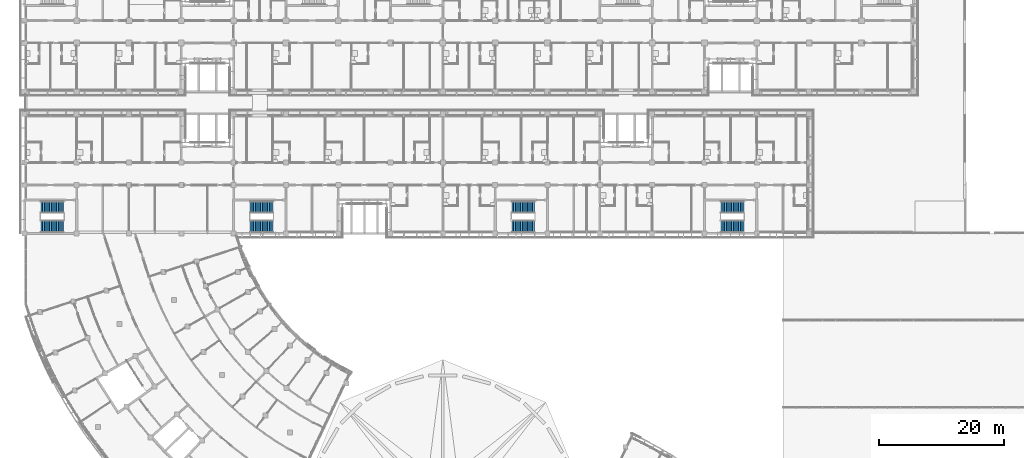
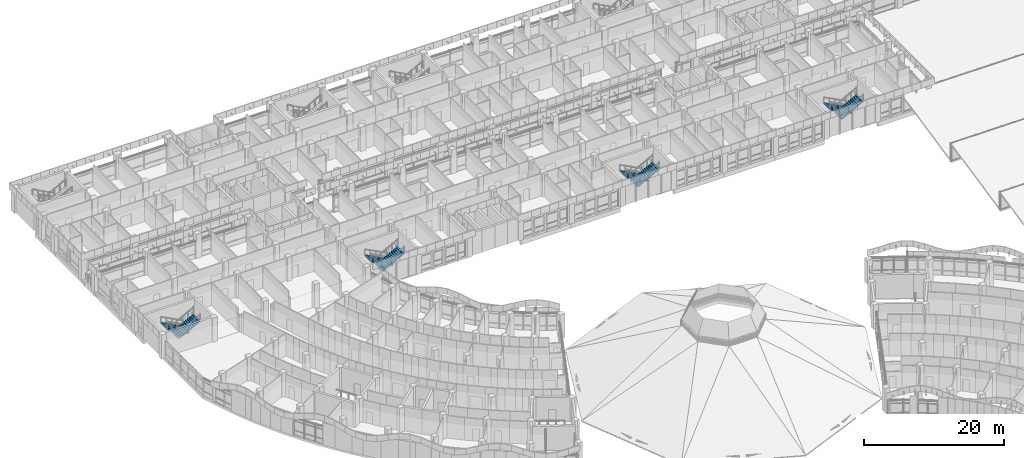
# One storey, part 89 of 137: 8 stair flights, 4 elements without a shape of their own.
"""IFC4 building model written with IfcOpenShell, lengths in metres."""

from ifc_helpers import new_model, si_unit, direction, frame, origin, place, context, subcontext, project, spatial, polyline, outline, extrude, material, type_object, element, aggregate, save


model = new_model("IFC4")

# Units and contexts
model_context = context("Model", 3, precision=1e-05, world=origin(), true_north=direction((0.0, 1.0)))
body_context = subcontext(model_context, "Body", "Model", "MODEL_VIEW")
ifc_project = project(units=[si_unit("LENGTHUNIT", "METRE"), si_unit("AREAUNIT", "SQUARE_METRE"), si_unit("VOLUMEUNIT", "CUBIC_METRE"), si_unit("PLANEANGLEUNIT", "RADIAN"), si_unit("MASSUNIT", "GRAM", prefix="KILO")], contexts=[model_context])

# Site, building, storey
site_placement = place(None, origin())
site = spatial("IfcSite", under=ifc_project, at=site_placement, CompositionType="ELEMENT")
building_placement = place(site_placement, origin())
building = spatial("IfcBuilding", under=site, at=building_placement, Name="Bougainvillea Quay General Hospital", CompositionType="ELEMENT")
storey_placement = place(building_placement, frame((0.0, 0.0, 16.800048828125)))
storey = spatial("IfcBuildingStorey", under=building, at=storey_placement, Name="L03", CompositionType="ELEMENT", Elevation=16.800048828125)

# Stair, stair flights
ifc_material = material(Name="Concrete C35", Category="concrete")
stair_type = type_object("IfcStairType", Name="Stair half-turn 1925 wide", PredefinedType="HALF_TURN_STAIR", material=ifc_material)
stair_1_placement = place(storey_placement, origin())
stair_1 = element("IfcStair", 1, at=stair_1_placement, inside=storey, type_object=stair_type, Name="L03 stair ST-B1", PredefinedType="HALF_TURN_STAIR")
stair_flight_type = type_object("IfcStairFlightType", Name="Stair flight 1925", PredefinedType="STRAIGHT", material=ifc_material)
stair_flight_1_placement = place(storey_placement, frame((48.300048828125, 121.862548828125, 0.0), z_axis=(0.0, 0.0, 1.0), x_axis=(-1.0, 0.0, 0.0)))
stair_flight_1 = element("IfcStairFlight", 2, at=stair_flight_1_placement, type_object=stair_flight_type, Name="ST-B1 flight 1", NumberOfRisers=14, NumberOfTreads=13, PredefinedType="STRAIGHT", RiserHeight=0.15, TreadLength=0.28, context=body_context, shape_type="SweptSolid", body=[
    extrude(outline(polyline([(-0.0029296875, 0.0), (-0.0029296875, 0.003662109375), (-0.0029296875, 0.00732421875), (-0.0029296875, 0.010986328125), (-0.0029296875, 0.0146484375), (-0.0029296875, 0.018310546875), (-0.0029296875, 0.02197265625), (-0.0029296875, 0.025634765625), (-0.0029296875, 0.029296875), (-0.0029296875, 0.032958984375), (-0.0029296875, 0.03662109375), (-0.0029296875, 0.040283203125), (-0.0029296875, 0.0439453125), (-0.0029296875, 0.047607421875), (-0.0029296875, 0.05126953125), (-0.0029296875, 0.054931640625), (-0.0029296875, 0.05859375), (-0.0029296875, 0.062255859375), (-0.0029296875, 0.06591796875), (-0.0029296875, 0.069580078125), (-0.0029296875, 0.0732421875), (-0.0029296875, 0.076904296875), (-0.0029296875, 0.08056640625), (-0.0029296875, 0.084228515625), (-0.0029296875, 0.087890625), (-0.0029296875, 0.091552734375), (-0.0029296875, 0.09521484375), (-0.0029296875, 0.098876953125), (-0.0029296875, 0.1025390625), (-0.0029296875, 0.106201171875), (-0.0029296875, 0.10986328125), (-0.0029296875, 0.113525390625), (-0.0029296875, 0.1171875), (-0.0029296875, 0.120849609375), (-0.0029296875, 0.12451171875), (-0.0029296875, 0.1279296875), (-0.0029296875, 0.131591796875), (-0.0029296875, 0.13525390625), (-0.0029296875, 0.138916015625), (-0.0029296875, 0.142578125), (-0.0029296875, 0.146240234375), (-0.0029296875, 0.14990234375), (0.280029296875, 0.14990234375), (0.280029296875, 0.300048828125), (0.56005859375, 0.300048828125), (0.56005859375, 0.449951171875), (0.840087890625, 0.449951171875), (0.840087890625, 0.60009765625), (1.1201171875, 0.60009765625), (1.1201171875, 0.75), (1.39990234375, 0.75), (1.39990234375, 0.89990234375), (1.679931640625, 0.89990234375), (1.679931640625, 1.050048828125), (1.9599609375, 1.050048828125), (1.9599609375, 1.199951171875), (2.239990234375, 1.199951171875), (2.239990234375, 1.35009765625), (2.52001953125, 1.35009765625), (2.52001953125, 1.5), (2.800048828125, 1.5), (2.800048828125, 1.64990234375), (3.080078125, 1.64990234375), (3.080078125, 1.800048828125), (3.360107421875, 1.800048828125), (3.360107421875, 1.949951171875), (3.64306640625, 1.949951171875), (3.64306640625, 1.94580078125), (3.64306640625, 1.941650390625), (3.64306640625, 1.9375), (3.64306640625, 1.933349609375), (3.64306640625, 1.92919921875), (3.64306640625, 1.925048828125), (3.64306640625, 1.9208984375), (3.64306640625, 1.916748046875), (3.64306640625, 1.91259765625), (3.64306640625, 1.908447265625), (3.64306640625, 1.904296875), (3.64306640625, 1.900146484375), (3.64306640625, 1.89599609375), (3.64306640625, 1.891845703125), (3.64306640625, 1.8876953125), (3.64306640625, 1.883544921875), (3.64306640625, 1.87939453125), (3.64306640625, 1.875244140625), (3.64306640625, 1.87109375), (3.64306640625, 1.866943359375), (3.64306640625, 1.86279296875), (3.64306640625, 1.858642578125), (3.64306640625, 1.8544921875), (3.64306640625, 1.850341796875), (3.64306640625, 1.84619140625), (3.64306640625, 1.842041015625), (3.64306640625, 1.837890625), (3.64306640625, 1.833984375), (3.64306640625, 1.829833984375), (3.64306640625, 1.82568359375), (3.64306640625, 1.821533203125), (3.64306640625, 1.8173828125), (3.64306640625, 1.813232421875), (3.64306640625, 1.80908203125), (3.64306640625, 1.804931640625), (3.64306640625, 1.80078125), (3.64306640625, 1.796630859375), (3.64306640625, 1.79248046875), (3.64306640625, 1.788330078125), (3.64306640625, 1.7841796875), (3.64306640625, 1.780029296875), (0.3173828125, 0.0), (-0.0029296875, 0.0)])), frame((0.0, 0.96240234375, 0.0), z_axis=(0.0, -1.0, 0.0), x_axis=(1.0, 0.0, 0.0)), (0.0, 0.0, 1.0), 1.925048828125),
])
stair_flight_2_placement = place(storey_placement, frame((44.659912109375, 118.737548828125, 2.099853515625), z_axis=(0.0, 0.0, 1.0), x_axis=(1.0, 0.0, 0.0)))
stair_flight_2 = element("IfcStairFlight", 3, at=stair_flight_2_placement, type_object=stair_flight_type, Name="ST-B1 flight 2", NumberOfRisers=14, NumberOfTreads=13, PredefinedType="STRAIGHT", RiserHeight=0.15, TreadLength=0.28, context=body_context, shape_type="SweptSolid", body=[
    extrude(outline(polyline([(-0.0029296875, 0.0), (-0.0029296875, 0.003662109375), (-0.0029296875, 0.00732421875), (-0.0029296875, 0.010986328125), (-0.0029296875, 0.0146484375), (-0.0029296875, 0.018310546875), (-0.0029296875, 0.02197265625), (-0.0029296875, 0.025634765625), (-0.0029296875, 0.029296875), (-0.0029296875, 0.032958984375), (-0.0029296875, 0.03662109375), (-0.0029296875, 0.040283203125), (-0.0029296875, 0.0439453125), (-0.0029296875, 0.047607421875), (-0.0029296875, 0.05126953125), (-0.0029296875, 0.054931640625), (-0.0029296875, 0.05859375), (-0.0029296875, 0.062255859375), (-0.0029296875, 0.06591796875), (-0.0029296875, 0.069580078125), (-0.0029296875, 0.0732421875), (-0.0029296875, 0.076904296875), (-0.0029296875, 0.08056640625), (-0.0029296875, 0.084228515625), (-0.0029296875, 0.087890625), (-0.0029296875, 0.091552734375), (-0.0029296875, 0.09521484375), (-0.0029296875, 0.098876953125), (-0.0029296875, 0.1025390625), (-0.0029296875, 0.106201171875), (-0.0029296875, 0.10986328125), (-0.0029296875, 0.113525390625), (-0.0029296875, 0.1171875), (-0.0029296875, 0.120849609375), (-0.0029296875, 0.12451171875), (-0.0029296875, 0.1279296875), (-0.0029296875, 0.131591796875), (-0.0029296875, 0.13525390625), (-0.0029296875, 0.138916015625), (-0.0029296875, 0.142578125), (-0.0029296875, 0.146240234375), (-0.0029296875, 0.14990234375), (0.280029296875, 0.14990234375), (0.280029296875, 0.300048828125), (0.56005859375, 0.300048828125), (0.56005859375, 0.449951171875), (0.840087890625, 0.449951171875), (0.840087890625, 0.60009765625), (1.1201171875, 0.60009765625), (1.1201171875, 0.75), (1.39990234375, 0.75), (1.39990234375, 0.89990234375), (1.679931640625, 0.89990234375), (1.679931640625, 1.050048828125), (1.9599609375, 1.050048828125), (1.9599609375, 1.199951171875), (2.239990234375, 1.199951171875), (2.239990234375, 1.35009765625), (2.52001953125, 1.35009765625), (2.52001953125, 1.5), (2.800048828125, 1.5), (2.800048828125, 1.64990234375), (3.080078125, 1.64990234375), (3.080078125, 1.800048828125), (3.360107421875, 1.800048828125), (3.360107421875, 1.949951171875), (3.64306640625, 1.949951171875), (3.64306640625, 1.94580078125), (3.64306640625, 1.941650390625), (3.64306640625, 1.9375), (3.64306640625, 1.933349609375), (3.64306640625, 1.92919921875), (3.64306640625, 1.925048828125), (3.64306640625, 1.9208984375), (3.64306640625, 1.916748046875), (3.64306640625, 1.91259765625), (3.64306640625, 1.908447265625), (3.64306640625, 1.904296875), (3.64306640625, 1.900146484375), (3.64306640625, 1.89599609375), (3.64306640625, 1.891845703125), (3.64306640625, 1.8876953125), (3.64306640625, 1.883544921875), (3.64306640625, 1.87939453125), (3.64306640625, 1.875244140625), (3.64306640625, 1.87109375), (3.64306640625, 1.866943359375), (3.64306640625, 1.86279296875), (3.64306640625, 1.858642578125), (3.64306640625, 1.8544921875), (3.64306640625, 1.850341796875), (3.64306640625, 1.84619140625), (3.64306640625, 1.842041015625), (3.64306640625, 1.837890625), (3.64306640625, 1.833984375), (3.64306640625, 1.829833984375), (3.64306640625, 1.82568359375), (3.64306640625, 1.821533203125), (3.64306640625, 1.8173828125), (3.64306640625, 1.813232421875), (3.64306640625, 1.80908203125), (3.64306640625, 1.804931640625), (3.64306640625, 1.80078125), (3.64306640625, 1.796630859375), (3.64306640625, 1.79248046875), (3.64306640625, 1.788330078125), (3.64306640625, 1.7841796875), (3.64306640625, 1.780029296875), (0.3173828125, 0.0), (-0.0029296875, 0.0)])), frame((0.0, 0.96240234375, 0.0), z_axis=(0.0, -1.0, 0.0), x_axis=(1.0, 0.0, 0.0)), (0.0, 0.0, 1.0), 1.925048828125),
])
aggregate(stair_1, [stair_flight_1, stair_flight_2])

stair_2_placement = place(storey_placement, origin())
stair_2 = element("IfcStair", 4, at=stair_2_placement, inside=storey, type_object=stair_type, Name="L03 stair ST-B2", PredefinedType="HALF_TURN_STAIR")
stair_flight_3_placement = place(storey_placement, frame((81.89990234375, 121.862548828125, 0.0), z_axis=(0.0, 0.0, 1.0), x_axis=(-1.0, 0.0, 0.0)))
stair_flight_3 = element("IfcStairFlight", 5, at=stair_flight_3_placement, type_object=stair_flight_type, Name="ST-B2 flight 1", NumberOfRisers=14, NumberOfTreads=13, PredefinedType="STRAIGHT", RiserHeight=0.15, TreadLength=0.28, context=body_context, shape_type="SweptSolid", body=[
    extrude(outline(polyline([(-0.0029296875, 0.0), (-0.0029296875, 0.003662109375), (-0.0029296875, 0.00732421875), (-0.0029296875, 0.010986328125), (-0.0029296875, 0.0146484375), (-0.0029296875, 0.018310546875), (-0.0029296875, 0.02197265625), (-0.0029296875, 0.025634765625), (-0.0029296875, 0.029296875), (-0.0029296875, 0.032958984375), (-0.0029296875, 0.03662109375), (-0.0029296875, 0.040283203125), (-0.0029296875, 0.0439453125), (-0.0029296875, 0.047607421875), (-0.0029296875, 0.05126953125), (-0.0029296875, 0.054931640625), (-0.0029296875, 0.05859375), (-0.0029296875, 0.062255859375), (-0.0029296875, 0.06591796875), (-0.0029296875, 0.069580078125), (-0.0029296875, 0.0732421875), (-0.0029296875, 0.076904296875), (-0.0029296875, 0.08056640625), (-0.0029296875, 0.084228515625), (-0.0029296875, 0.087890625), (-0.0029296875, 0.091552734375), (-0.0029296875, 0.09521484375), (-0.0029296875, 0.098876953125), (-0.0029296875, 0.1025390625), (-0.0029296875, 0.106201171875), (-0.0029296875, 0.10986328125), (-0.0029296875, 0.113525390625), (-0.0029296875, 0.1171875), (-0.0029296875, 0.120849609375), (-0.0029296875, 0.12451171875), (-0.0029296875, 0.1279296875), (-0.0029296875, 0.131591796875), (-0.0029296875, 0.13525390625), (-0.0029296875, 0.138916015625), (-0.0029296875, 0.142578125), (-0.0029296875, 0.146240234375), (-0.0029296875, 0.14990234375), (0.280029296875, 0.14990234375), (0.280029296875, 0.300048828125), (0.56005859375, 0.300048828125), (0.56005859375, 0.449951171875), (0.840087890625, 0.449951171875), (0.840087890625, 0.60009765625), (1.1201171875, 0.60009765625), (1.1201171875, 0.75), (1.39990234375, 0.75), (1.39990234375, 0.89990234375), (1.679931640625, 0.89990234375), (1.679931640625, 1.050048828125), (1.9599609375, 1.050048828125), (1.9599609375, 1.199951171875), (2.239990234375, 1.199951171875), (2.239990234375, 1.35009765625), (2.52001953125, 1.35009765625), (2.52001953125, 1.5), (2.800048828125, 1.5), (2.800048828125, 1.64990234375), (3.080078125, 1.64990234375), (3.080078125, 1.800048828125), (3.360107421875, 1.800048828125), (3.360107421875, 1.949951171875), (3.64306640625, 1.949951171875), (3.64306640625, 1.94580078125), (3.64306640625, 1.941650390625), (3.64306640625, 1.9375), (3.64306640625, 1.933349609375), (3.64306640625, 1.92919921875), (3.64306640625, 1.925048828125), (3.64306640625, 1.9208984375), (3.64306640625, 1.916748046875), (3.64306640625, 1.91259765625), (3.64306640625, 1.908447265625), (3.64306640625, 1.904296875), (3.64306640625, 1.900146484375), (3.64306640625, 1.89599609375), (3.64306640625, 1.891845703125), (3.64306640625, 1.8876953125), (3.64306640625, 1.883544921875), (3.64306640625, 1.87939453125), (3.64306640625, 1.875244140625), (3.64306640625, 1.87109375), (3.64306640625, 1.866943359375), (3.64306640625, 1.86279296875), (3.64306640625, 1.858642578125), (3.64306640625, 1.8544921875), (3.64306640625, 1.850341796875), (3.64306640625, 1.84619140625), (3.64306640625, 1.842041015625), (3.64306640625, 1.837890625), (3.64306640625, 1.833984375), (3.64306640625, 1.829833984375), (3.64306640625, 1.82568359375), (3.64306640625, 1.821533203125), (3.64306640625, 1.8173828125), (3.64306640625, 1.813232421875), (3.64306640625, 1.80908203125), (3.64306640625, 1.804931640625), (3.64306640625, 1.80078125), (3.64306640625, 1.796630859375), (3.64306640625, 1.79248046875), (3.64306640625, 1.788330078125), (3.64306640625, 1.7841796875), (3.64306640625, 1.780029296875), (0.3173828125, 0.0), (-0.0029296875, 0.0)])), frame((0.0, 0.96240234375, 0.0), z_axis=(0.0, -1.0, 0.0), x_axis=(1.0, 0.0, 0.0)), (0.0, 0.0, 1.0), 1.925048828125),
])
stair_flight_4_placement = place(storey_placement, frame((78.260009765625, 118.737548828125, 2.099853515625), z_axis=(0.0, 0.0, 1.0), x_axis=(1.0, 0.0, 0.0)))
stair_flight_4 = element("IfcStairFlight", 6, at=stair_flight_4_placement, type_object=stair_flight_type, Name="ST-B2 flight 2", NumberOfRisers=14, NumberOfTreads=13, PredefinedType="STRAIGHT", RiserHeight=0.15, TreadLength=0.28, context=body_context, shape_type="SweptSolid", body=[
    extrude(outline(polyline([(-0.0029296875, 0.0), (-0.0029296875, 0.003662109375), (-0.0029296875, 0.00732421875), (-0.0029296875, 0.010986328125), (-0.0029296875, 0.0146484375), (-0.0029296875, 0.018310546875), (-0.0029296875, 0.02197265625), (-0.0029296875, 0.025634765625), (-0.0029296875, 0.029296875), (-0.0029296875, 0.032958984375), (-0.0029296875, 0.03662109375), (-0.0029296875, 0.040283203125), (-0.0029296875, 0.0439453125), (-0.0029296875, 0.047607421875), (-0.0029296875, 0.05126953125), (-0.0029296875, 0.054931640625), (-0.0029296875, 0.05859375), (-0.0029296875, 0.062255859375), (-0.0029296875, 0.06591796875), (-0.0029296875, 0.069580078125), (-0.0029296875, 0.0732421875), (-0.0029296875, 0.076904296875), (-0.0029296875, 0.08056640625), (-0.0029296875, 0.084228515625), (-0.0029296875, 0.087890625), (-0.0029296875, 0.091552734375), (-0.0029296875, 0.09521484375), (-0.0029296875, 0.098876953125), (-0.0029296875, 0.1025390625), (-0.0029296875, 0.106201171875), (-0.0029296875, 0.10986328125), (-0.0029296875, 0.113525390625), (-0.0029296875, 0.1171875), (-0.0029296875, 0.120849609375), (-0.0029296875, 0.12451171875), (-0.0029296875, 0.1279296875), (-0.0029296875, 0.131591796875), (-0.0029296875, 0.13525390625), (-0.0029296875, 0.138916015625), (-0.0029296875, 0.142578125), (-0.0029296875, 0.146240234375), (-0.0029296875, 0.14990234375), (0.280029296875, 0.14990234375), (0.280029296875, 0.300048828125), (0.56005859375, 0.300048828125), (0.56005859375, 0.449951171875), (0.840087890625, 0.449951171875), (0.840087890625, 0.60009765625), (1.1201171875, 0.60009765625), (1.1201171875, 0.75), (1.39990234375, 0.75), (1.39990234375, 0.89990234375), (1.679931640625, 0.89990234375), (1.679931640625, 1.050048828125), (1.9599609375, 1.050048828125), (1.9599609375, 1.199951171875), (2.239990234375, 1.199951171875), (2.239990234375, 1.35009765625), (2.52001953125, 1.35009765625), (2.52001953125, 1.5), (2.800048828125, 1.5), (2.800048828125, 1.64990234375), (3.080078125, 1.64990234375), (3.080078125, 1.800048828125), (3.360107421875, 1.800048828125), (3.360107421875, 1.949951171875), (3.64306640625, 1.949951171875), (3.64306640625, 1.94580078125), (3.64306640625, 1.941650390625), (3.64306640625, 1.9375), (3.64306640625, 1.933349609375), (3.64306640625, 1.92919921875), (3.64306640625, 1.925048828125), (3.64306640625, 1.9208984375), (3.64306640625, 1.916748046875), (3.64306640625, 1.91259765625), (3.64306640625, 1.908447265625), (3.64306640625, 1.904296875), (3.64306640625, 1.900146484375), (3.64306640625, 1.89599609375), (3.64306640625, 1.891845703125), (3.64306640625, 1.8876953125), (3.64306640625, 1.883544921875), (3.64306640625, 1.87939453125), (3.64306640625, 1.875244140625), (3.64306640625, 1.87109375), (3.64306640625, 1.866943359375), (3.64306640625, 1.86279296875), (3.64306640625, 1.858642578125), (3.64306640625, 1.8544921875), (3.64306640625, 1.850341796875), (3.64306640625, 1.84619140625), (3.64306640625, 1.842041015625), (3.64306640625, 1.837890625), (3.64306640625, 1.833984375), (3.64306640625, 1.829833984375), (3.64306640625, 1.82568359375), (3.64306640625, 1.821533203125), (3.64306640625, 1.8173828125), (3.64306640625, 1.813232421875), (3.64306640625, 1.80908203125), (3.64306640625, 1.804931640625), (3.64306640625, 1.80078125), (3.64306640625, 1.796630859375), (3.64306640625, 1.79248046875), (3.64306640625, 1.788330078125), (3.64306640625, 1.7841796875), (3.64306640625, 1.780029296875), (0.3173828125, 0.0), (-0.0029296875, 0.0)])), frame((0.0, 0.96240234375, 0.0), z_axis=(0.0, -1.0, 0.0), x_axis=(1.0, 0.0, 0.0)), (0.0, 0.0, 1.0), 1.925048828125),
])
aggregate(stair_2, [stair_flight_3, stair_flight_4])

stair_3_placement = place(storey_placement, origin())
stair_3 = element("IfcStair", 7, at=stair_3_placement, inside=storey, type_object=stair_type, Name="L03 stair ST-B3", PredefinedType="HALF_TURN_STAIR")
stair_flight_5_placement = place(storey_placement, frame((123.89990234375, 121.862548828125, 0.0), z_axis=(0.0, 0.0, 1.0), x_axis=(-1.0, 0.0, 0.0)))
stair_flight_5 = element("IfcStairFlight", 8, at=stair_flight_5_placement, type_object=stair_flight_type, Name="ST-B3 flight 1", NumberOfRisers=14, NumberOfTreads=13, PredefinedType="STRAIGHT", RiserHeight=0.15, TreadLength=0.28, context=body_context, shape_type="SweptSolid", body=[
    extrude(outline(polyline([(-0.0029296875, 0.0), (-0.0029296875, 0.003662109375), (-0.0029296875, 0.00732421875), (-0.0029296875, 0.010986328125), (-0.0029296875, 0.0146484375), (-0.0029296875, 0.018310546875), (-0.0029296875, 0.02197265625), (-0.0029296875, 0.025634765625), (-0.0029296875, 0.029296875), (-0.0029296875, 0.032958984375), (-0.0029296875, 0.03662109375), (-0.0029296875, 0.040283203125), (-0.0029296875, 0.0439453125), (-0.0029296875, 0.047607421875), (-0.0029296875, 0.05126953125), (-0.0029296875, 0.054931640625), (-0.0029296875, 0.05859375), (-0.0029296875, 0.062255859375), (-0.0029296875, 0.06591796875), (-0.0029296875, 0.069580078125), (-0.0029296875, 0.0732421875), (-0.0029296875, 0.076904296875), (-0.0029296875, 0.08056640625), (-0.0029296875, 0.084228515625), (-0.0029296875, 0.087890625), (-0.0029296875, 0.091552734375), (-0.0029296875, 0.09521484375), (-0.0029296875, 0.098876953125), (-0.0029296875, 0.1025390625), (-0.0029296875, 0.106201171875), (-0.0029296875, 0.10986328125), (-0.0029296875, 0.113525390625), (-0.0029296875, 0.1171875), (-0.0029296875, 0.120849609375), (-0.0029296875, 0.12451171875), (-0.0029296875, 0.1279296875), (-0.0029296875, 0.131591796875), (-0.0029296875, 0.13525390625), (-0.0029296875, 0.138916015625), (-0.0029296875, 0.142578125), (-0.0029296875, 0.146240234375), (-0.0029296875, 0.14990234375), (0.280029296875, 0.14990234375), (0.280029296875, 0.300048828125), (0.56005859375, 0.300048828125), (0.56005859375, 0.449951171875), (0.840087890625, 0.449951171875), (0.840087890625, 0.60009765625), (1.1201171875, 0.60009765625), (1.1201171875, 0.75), (1.39990234375, 0.75), (1.39990234375, 0.89990234375), (1.679931640625, 0.89990234375), (1.679931640625, 1.050048828125), (1.9599609375, 1.050048828125), (1.9599609375, 1.199951171875), (2.239990234375, 1.199951171875), (2.239990234375, 1.35009765625), (2.52001953125, 1.35009765625), (2.52001953125, 1.5), (2.800048828125, 1.5), (2.800048828125, 1.64990234375), (3.080078125, 1.64990234375), (3.080078125, 1.800048828125), (3.360107421875, 1.800048828125), (3.360107421875, 1.949951171875), (3.64306640625, 1.949951171875), (3.64306640625, 1.94580078125), (3.64306640625, 1.941650390625), (3.64306640625, 1.9375), (3.64306640625, 1.933349609375), (3.64306640625, 1.92919921875), (3.64306640625, 1.925048828125), (3.64306640625, 1.9208984375), (3.64306640625, 1.916748046875), (3.64306640625, 1.91259765625), (3.64306640625, 1.908447265625), (3.64306640625, 1.904296875), (3.64306640625, 1.900146484375), (3.64306640625, 1.89599609375), (3.64306640625, 1.891845703125), (3.64306640625, 1.8876953125), (3.64306640625, 1.883544921875), (3.64306640625, 1.87939453125), (3.64306640625, 1.875244140625), (3.64306640625, 1.87109375), (3.64306640625, 1.866943359375), (3.64306640625, 1.86279296875), (3.64306640625, 1.858642578125), (3.64306640625, 1.8544921875), (3.64306640625, 1.850341796875), (3.64306640625, 1.84619140625), (3.64306640625, 1.842041015625), (3.64306640625, 1.837890625), (3.64306640625, 1.833984375), (3.64306640625, 1.829833984375), (3.64306640625, 1.82568359375), (3.64306640625, 1.821533203125), (3.64306640625, 1.8173828125), (3.64306640625, 1.813232421875), (3.64306640625, 1.80908203125), (3.64306640625, 1.804931640625), (3.64306640625, 1.80078125), (3.64306640625, 1.796630859375), (3.64306640625, 1.79248046875), (3.64306640625, 1.788330078125), (3.64306640625, 1.7841796875), (3.64306640625, 1.780029296875), (0.3173828125, 0.0), (-0.0029296875, 0.0)])), frame((0.0, 0.96240234375, 0.0), z_axis=(0.0, -1.0, 0.0), x_axis=(1.0, 0.0, 0.0)), (0.0, 0.0, 1.0), 1.925048828125),
])
stair_flight_6_placement = place(storey_placement, frame((120.260009765625, 118.737548828125, 2.099853515625), z_axis=(0.0, 0.0, 1.0), x_axis=(1.0, 0.0, 0.0)))
stair_flight_6 = element("IfcStairFlight", 9, at=stair_flight_6_placement, type_object=stair_flight_type, Name="ST-B3 flight 2", NumberOfRisers=14, NumberOfTreads=13, PredefinedType="STRAIGHT", RiserHeight=0.15, TreadLength=0.28, context=body_context, shape_type="SweptSolid", body=[
    extrude(outline(polyline([(-0.0029296875, 0.0), (-0.0029296875, 0.003662109375), (-0.0029296875, 0.00732421875), (-0.0029296875, 0.010986328125), (-0.0029296875, 0.0146484375), (-0.0029296875, 0.018310546875), (-0.0029296875, 0.02197265625), (-0.0029296875, 0.025634765625), (-0.0029296875, 0.029296875), (-0.0029296875, 0.032958984375), (-0.0029296875, 0.03662109375), (-0.0029296875, 0.040283203125), (-0.0029296875, 0.0439453125), (-0.0029296875, 0.047607421875), (-0.0029296875, 0.05126953125), (-0.0029296875, 0.054931640625), (-0.0029296875, 0.05859375), (-0.0029296875, 0.062255859375), (-0.0029296875, 0.06591796875), (-0.0029296875, 0.069580078125), (-0.0029296875, 0.0732421875), (-0.0029296875, 0.076904296875), (-0.0029296875, 0.08056640625), (-0.0029296875, 0.084228515625), (-0.0029296875, 0.087890625), (-0.0029296875, 0.091552734375), (-0.0029296875, 0.09521484375), (-0.0029296875, 0.098876953125), (-0.0029296875, 0.1025390625), (-0.0029296875, 0.106201171875), (-0.0029296875, 0.10986328125), (-0.0029296875, 0.113525390625), (-0.0029296875, 0.1171875), (-0.0029296875, 0.120849609375), (-0.0029296875, 0.12451171875), (-0.0029296875, 0.1279296875), (-0.0029296875, 0.131591796875), (-0.0029296875, 0.13525390625), (-0.0029296875, 0.138916015625), (-0.0029296875, 0.142578125), (-0.0029296875, 0.146240234375), (-0.0029296875, 0.14990234375), (0.280029296875, 0.14990234375), (0.280029296875, 0.300048828125), (0.56005859375, 0.300048828125), (0.56005859375, 0.449951171875), (0.840087890625, 0.449951171875), (0.840087890625, 0.60009765625), (1.1201171875, 0.60009765625), (1.1201171875, 0.75), (1.39990234375, 0.75), (1.39990234375, 0.89990234375), (1.679931640625, 0.89990234375), (1.679931640625, 1.050048828125), (1.9599609375, 1.050048828125), (1.9599609375, 1.199951171875), (2.239990234375, 1.199951171875), (2.239990234375, 1.35009765625), (2.52001953125, 1.35009765625), (2.52001953125, 1.5), (2.800048828125, 1.5), (2.800048828125, 1.64990234375), (3.080078125, 1.64990234375), (3.080078125, 1.800048828125), (3.360107421875, 1.800048828125), (3.360107421875, 1.949951171875), (3.64306640625, 1.949951171875), (3.64306640625, 1.94580078125), (3.64306640625, 1.941650390625), (3.64306640625, 1.9375), (3.64306640625, 1.933349609375), (3.64306640625, 1.92919921875), (3.64306640625, 1.925048828125), (3.64306640625, 1.9208984375), (3.64306640625, 1.916748046875), (3.64306640625, 1.91259765625), (3.64306640625, 1.908447265625), (3.64306640625, 1.904296875), (3.64306640625, 1.900146484375), (3.64306640625, 1.89599609375), (3.64306640625, 1.891845703125), (3.64306640625, 1.8876953125), (3.64306640625, 1.883544921875), (3.64306640625, 1.87939453125), (3.64306640625, 1.875244140625), (3.64306640625, 1.87109375), (3.64306640625, 1.866943359375), (3.64306640625, 1.86279296875), (3.64306640625, 1.858642578125), (3.64306640625, 1.8544921875), (3.64306640625, 1.850341796875), (3.64306640625, 1.84619140625), (3.64306640625, 1.842041015625), (3.64306640625, 1.837890625), (3.64306640625, 1.833984375), (3.64306640625, 1.829833984375), (3.64306640625, 1.82568359375), (3.64306640625, 1.821533203125), (3.64306640625, 1.8173828125), (3.64306640625, 1.813232421875), (3.64306640625, 1.80908203125), (3.64306640625, 1.804931640625), (3.64306640625, 1.80078125), (3.64306640625, 1.796630859375), (3.64306640625, 1.79248046875), (3.64306640625, 1.788330078125), (3.64306640625, 1.7841796875), (3.64306640625, 1.780029296875), (0.3173828125, 0.0), (-0.0029296875, 0.0)])), frame((0.0, 0.96240234375, 0.0), z_axis=(0.0, -1.0, 0.0), x_axis=(1.0, 0.0, 0.0)), (0.0, 0.0, 1.0), 1.925048828125),
])
aggregate(stair_3, [stair_flight_5, stair_flight_6])

stair_4_placement = place(storey_placement, origin())
stair_4 = element("IfcStair", 10, at=stair_4_placement, inside=storey, type_object=stair_type, Name="L03 stair ST-B4", PredefinedType="HALF_TURN_STAIR")
stair_flight_7_placement = place(storey_placement, frame((157.5, 121.862548828125, 0.0), z_axis=(0.0, 0.0, 1.0), x_axis=(-1.0, 0.0, 0.0)))
stair_flight_7 = element("IfcStairFlight", 11, at=stair_flight_7_placement, type_object=stair_flight_type, Name="ST-B4 flight 1", NumberOfRisers=14, NumberOfTreads=13, PredefinedType="STRAIGHT", RiserHeight=0.15, TreadLength=0.28, context=body_context, shape_type="SweptSolid", body=[
    extrude(outline(polyline([(-0.0029296875, 0.0), (-0.0029296875, 0.003662109375), (-0.0029296875, 0.00732421875), (-0.0029296875, 0.010986328125), (-0.0029296875, 0.0146484375), (-0.0029296875, 0.018310546875), (-0.0029296875, 0.02197265625), (-0.0029296875, 0.025634765625), (-0.0029296875, 0.029296875), (-0.0029296875, 0.032958984375), (-0.0029296875, 0.03662109375), (-0.0029296875, 0.040283203125), (-0.0029296875, 0.0439453125), (-0.0029296875, 0.047607421875), (-0.0029296875, 0.05126953125), (-0.0029296875, 0.054931640625), (-0.0029296875, 0.05859375), (-0.0029296875, 0.062255859375), (-0.0029296875, 0.06591796875), (-0.0029296875, 0.069580078125), (-0.0029296875, 0.0732421875), (-0.0029296875, 0.076904296875), (-0.0029296875, 0.08056640625), (-0.0029296875, 0.084228515625), (-0.0029296875, 0.087890625), (-0.0029296875, 0.091552734375), (-0.0029296875, 0.09521484375), (-0.0029296875, 0.098876953125), (-0.0029296875, 0.1025390625), (-0.0029296875, 0.106201171875), (-0.0029296875, 0.10986328125), (-0.0029296875, 0.113525390625), (-0.0029296875, 0.1171875), (-0.0029296875, 0.120849609375), (-0.0029296875, 0.12451171875), (-0.0029296875, 0.1279296875), (-0.0029296875, 0.131591796875), (-0.0029296875, 0.13525390625), (-0.0029296875, 0.138916015625), (-0.0029296875, 0.142578125), (-0.0029296875, 0.146240234375), (-0.0029296875, 0.14990234375), (0.280029296875, 0.14990234375), (0.280029296875, 0.300048828125), (0.56005859375, 0.300048828125), (0.56005859375, 0.449951171875), (0.840087890625, 0.449951171875), (0.840087890625, 0.60009765625), (1.1201171875, 0.60009765625), (1.1201171875, 0.75), (1.39990234375, 0.75), (1.39990234375, 0.89990234375), (1.679931640625, 0.89990234375), (1.679931640625, 1.050048828125), (1.9599609375, 1.050048828125), (1.9599609375, 1.199951171875), (2.239990234375, 1.199951171875), (2.239990234375, 1.35009765625), (2.52001953125, 1.35009765625), (2.52001953125, 1.5), (2.800048828125, 1.5), (2.800048828125, 1.64990234375), (3.080078125, 1.64990234375), (3.080078125, 1.800048828125), (3.360107421875, 1.800048828125), (3.360107421875, 1.949951171875), (3.64306640625, 1.949951171875), (3.64306640625, 1.94580078125), (3.64306640625, 1.941650390625), (3.64306640625, 1.9375), (3.64306640625, 1.933349609375), (3.64306640625, 1.92919921875), (3.64306640625, 1.925048828125), (3.64306640625, 1.9208984375), (3.64306640625, 1.916748046875), (3.64306640625, 1.91259765625), (3.64306640625, 1.908447265625), (3.64306640625, 1.904296875), (3.64306640625, 1.900146484375), (3.64306640625, 1.89599609375), (3.64306640625, 1.891845703125), (3.64306640625, 1.8876953125), (3.64306640625, 1.883544921875), (3.64306640625, 1.87939453125), (3.64306640625, 1.875244140625), (3.64306640625, 1.87109375), (3.64306640625, 1.866943359375), (3.64306640625, 1.86279296875), (3.64306640625, 1.858642578125), (3.64306640625, 1.8544921875), (3.64306640625, 1.850341796875), (3.64306640625, 1.84619140625), (3.64306640625, 1.842041015625), (3.64306640625, 1.837890625), (3.64306640625, 1.833984375), (3.64306640625, 1.829833984375), (3.64306640625, 1.82568359375), (3.64306640625, 1.821533203125), (3.64306640625, 1.8173828125), (3.64306640625, 1.813232421875), (3.64306640625, 1.80908203125), (3.64306640625, 1.804931640625), (3.64306640625, 1.80078125), (3.64306640625, 1.796630859375), (3.64306640625, 1.79248046875), (3.64306640625, 1.788330078125), (3.64306640625, 1.7841796875), (3.64306640625, 1.780029296875), (0.3173828125, 0.0), (-0.0029296875, 0.0)])), frame((0.0, 0.96240234375, 0.0), z_axis=(0.0, -1.0, 0.0), x_axis=(1.0, 0.0, 0.0)), (0.0, 0.0, 1.0), 1.925048828125),
])
stair_flight_8_placement = place(storey_placement, frame((153.860107421875, 118.737548828125, 2.099853515625), z_axis=(0.0, 0.0, 1.0), x_axis=(1.0, 0.0, 0.0)))
stair_flight_8 = element("IfcStairFlight", 12, at=stair_flight_8_placement, type_object=stair_flight_type, Name="ST-B4 flight 2", NumberOfRisers=14, NumberOfTreads=13, PredefinedType="STRAIGHT", RiserHeight=0.15, TreadLength=0.28, context=body_context, shape_type="SweptSolid", body=[
    extrude(outline(polyline([(-0.0029296875, 0.0), (-0.0029296875, 0.003662109375), (-0.0029296875, 0.00732421875), (-0.0029296875, 0.010986328125), (-0.0029296875, 0.0146484375), (-0.0029296875, 0.018310546875), (-0.0029296875, 0.02197265625), (-0.0029296875, 0.025634765625), (-0.0029296875, 0.029296875), (-0.0029296875, 0.032958984375), (-0.0029296875, 0.03662109375), (-0.0029296875, 0.040283203125), (-0.0029296875, 0.0439453125), (-0.0029296875, 0.047607421875), (-0.0029296875, 0.05126953125), (-0.0029296875, 0.054931640625), (-0.0029296875, 0.05859375), (-0.0029296875, 0.062255859375), (-0.0029296875, 0.06591796875), (-0.0029296875, 0.069580078125), (-0.0029296875, 0.0732421875), (-0.0029296875, 0.076904296875), (-0.0029296875, 0.08056640625), (-0.0029296875, 0.084228515625), (-0.0029296875, 0.087890625), (-0.0029296875, 0.091552734375), (-0.0029296875, 0.09521484375), (-0.0029296875, 0.098876953125), (-0.0029296875, 0.1025390625), (-0.0029296875, 0.106201171875), (-0.0029296875, 0.10986328125), (-0.0029296875, 0.113525390625), (-0.0029296875, 0.1171875), (-0.0029296875, 0.120849609375), (-0.0029296875, 0.12451171875), (-0.0029296875, 0.1279296875), (-0.0029296875, 0.131591796875), (-0.0029296875, 0.13525390625), (-0.0029296875, 0.138916015625), (-0.0029296875, 0.142578125), (-0.0029296875, 0.146240234375), (-0.0029296875, 0.14990234375), (0.280029296875, 0.14990234375), (0.280029296875, 0.300048828125), (0.56005859375, 0.300048828125), (0.56005859375, 0.449951171875), (0.840087890625, 0.449951171875), (0.840087890625, 0.60009765625), (1.1201171875, 0.60009765625), (1.1201171875, 0.75), (1.39990234375, 0.75), (1.39990234375, 0.89990234375), (1.679931640625, 0.89990234375), (1.679931640625, 1.050048828125), (1.9599609375, 1.050048828125), (1.9599609375, 1.199951171875), (2.239990234375, 1.199951171875), (2.239990234375, 1.35009765625), (2.52001953125, 1.35009765625), (2.52001953125, 1.5), (2.800048828125, 1.5), (2.800048828125, 1.64990234375), (3.080078125, 1.64990234375), (3.080078125, 1.800048828125), (3.360107421875, 1.800048828125), (3.360107421875, 1.949951171875), (3.64306640625, 1.949951171875), (3.64306640625, 1.94580078125), (3.64306640625, 1.941650390625), (3.64306640625, 1.9375), (3.64306640625, 1.933349609375), (3.64306640625, 1.92919921875), (3.64306640625, 1.925048828125), (3.64306640625, 1.9208984375), (3.64306640625, 1.916748046875), (3.64306640625, 1.91259765625), (3.64306640625, 1.908447265625), (3.64306640625, 1.904296875), (3.64306640625, 1.900146484375), (3.64306640625, 1.89599609375), (3.64306640625, 1.891845703125), (3.64306640625, 1.8876953125), (3.64306640625, 1.883544921875), (3.64306640625, 1.87939453125), (3.64306640625, 1.875244140625), (3.64306640625, 1.87109375), (3.64306640625, 1.866943359375), (3.64306640625, 1.86279296875), (3.64306640625, 1.858642578125), (3.64306640625, 1.8544921875), (3.64306640625, 1.850341796875), (3.64306640625, 1.84619140625), (3.64306640625, 1.842041015625), (3.64306640625, 1.837890625), (3.64306640625, 1.833984375), (3.64306640625, 1.829833984375), (3.64306640625, 1.82568359375), (3.64306640625, 1.821533203125), (3.64306640625, 1.8173828125), (3.64306640625, 1.813232421875), (3.64306640625, 1.80908203125), (3.64306640625, 1.804931640625), (3.64306640625, 1.80078125), (3.64306640625, 1.796630859375), (3.64306640625, 1.79248046875), (3.64306640625, 1.788330078125), (3.64306640625, 1.7841796875), (3.64306640625, 1.780029296875), (0.3173828125, 0.0), (-0.0029296875, 0.0)])), frame((0.0, 0.96240234375, 0.0), z_axis=(0.0, -1.0, 0.0), x_axis=(1.0, 0.0, 0.0)), (0.0, 0.0, 1.0), 1.925048828125),
])
aggregate(stair_4, [stair_flight_7, stair_flight_8])

save(model, "model.ifc")
